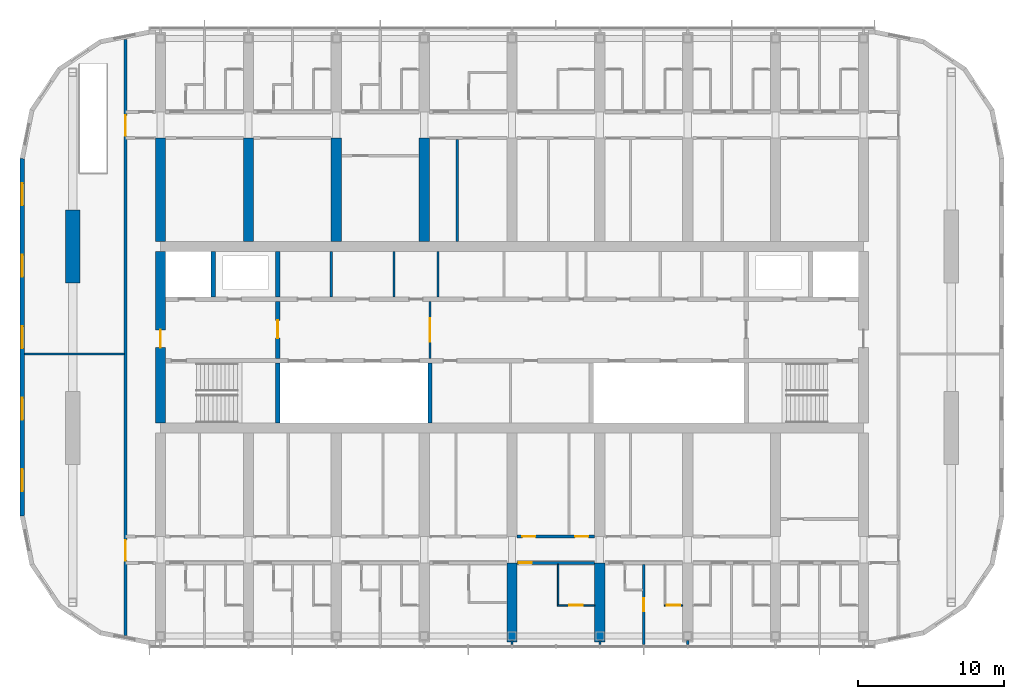
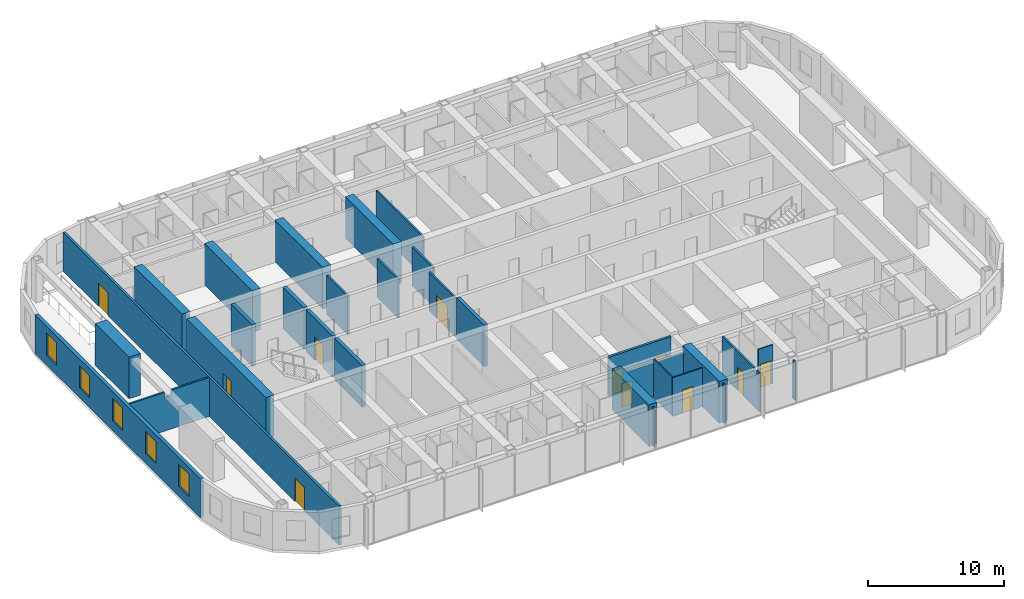
# One storey, part 12 of 24: 30 walls, 11 doors, 5 windows, 16 openings.
"""IFC4 building model written with IfcOpenShell, lengths in metres."""

from ifc_helpers import new_model, si_unit, direction, frame, frame_2d, origin, place, context, subcontext, project, spatial, polyline, rectangle, outline, extrude, material, layer, layer_set, type_object, element, fill, save


model = new_model("IFC4")

# Units and contexts
model_context = context("Model", 3, precision=1e-05, world=origin(), true_north=direction((0.0, 1.0)))
body_context = subcontext(model_context, "Body", "Model", "MODEL_VIEW")
ifc_project = project(units=[si_unit("LENGTHUNIT", "METRE"), si_unit("AREAUNIT", "SQUARE_METRE"), si_unit("VOLUMEUNIT", "CUBIC_METRE"), si_unit("PLANEANGLEUNIT", "RADIAN"), si_unit("MASSUNIT", "GRAM", prefix="KILO")], contexts=[model_context])

# Site, building, storey
site_placement = place(None, origin())
site = spatial("IfcSite", under=ifc_project, at=site_placement, CompositionType="ELEMENT")
building_placement = place(site_placement, origin())
building = spatial("IfcBuilding", under=site, at=building_placement, Name="Orbita Commons", CompositionType="ELEMENT")
storey_placement = place(building_placement, frame((0.0, 0.0, 235.300048828125)))
storey = spatial("IfcBuildingStorey", under=building, at=storey_placement, Name="L58", CompositionType="ELEMENT", Elevation=235.300048828125)

# Wall
ifc_material_1 = material(Name="Concrete C50/60", Category="concrete")
ifc_layer_1 = layer(ifc_material_1, 0.300048828125)
ifc_layer_set_1 = layer_set([ifc_layer_1], Name="Concrete C50/60")
wall_type_1 = type_object("IfcWallType", Name="Core inner wall 300 C50/60", PredefinedType="SHEAR", material=ifc_layer_set_1)
wall_1_placement = place(storey_placement, frame((26.0, 26.14990234375, 0.0), z_axis=(0.0, 0.0, 1.0), x_axis=(0.0, 1.0, 0.0)))
element("IfcWall", 1, at=wall_1_placement, inside=storey, type_object=wall_type_1, Name="Stair S1 wall L58", PredefinedType="SHEAR", context=body_context, shape_type="SweptSolid", body=[
    extrude(rectangle(XDim=4.10009765625, YDim=0.300048828125, at=frame_2d((2.050048828125, 0.0))), origin(), (0.0, 0.0, 1.0), 3.75),
])

# Wall, opening, door
wall_2_placement = place(storey_placement, frame((26.0, 30.550048828125, 0.0), z_axis=(0.0, 0.0, 1.0), x_axis=(0.0, 1.0, 0.0)))
wall_2 = element("IfcWall", 2, at=wall_2_placement, inside=storey, type_object=wall_type_1, Name="Firefighting lobby wall west L58", PredefinedType="SHEAR", context=body_context, shape_type="SweptSolid", body=[
    extrude(rectangle(XDim=3.89990234375, YDim=0.300048828125, at=frame_2d((1.949951171875, 0.0))), origin(), (0.0, 0.0, 1.0), 3.75),
])
opening_1_placement = place(wall_2_placement, frame((1.39990234375, 0.0, 0.0)))
opening_1 = element("IfcOpeningElement", 3, at=opening_1_placement, cuts=wall_2, Name="Opening D04", PredefinedType="OPENING", context=body_context, shape_type="SweptSolid", body=[
    extrude(rectangle(XDim=1.199951171875, YDim=2.10009765625, at=frame_2d((0.60009765625, 1.050048828125))), frame((0.0, 0.159912109375, 0.0), z_axis=(0.0, -1.0, 0.0), x_axis=(1.0, 0.0, 0.0)), (0.0, 0.0, 1.0), 0.320068359375),
])
ifc_material_2 = material(Name="Steel-faced fire door leaf", Category="steel")
door_type_1 = type_object("IfcDoorType", Name="Service door 20 min 1200x2100", OperationType="SINGLE_SWING_LEFT", PredefinedType="DOOR", material=ifc_material_2)
door_1_placement = place(opening_1_placement, origin())
door_1 = element("IfcDoor", 4, at=door_1_placement, inside=storey, type_object=door_type_1, Name="Lift lobby door west", OperationType="SINGLE_SWING_LEFT", OverallHeight=2.10009765625, OverallWidth=1.199951171875, PredefinedType="DOOR", context=body_context, shape_type="SweptSolid", body=[
    extrude(rectangle(XDim=1.199951171875, YDim=2.10009765625, at=frame_2d((0.60009765625, 1.050048828125))), frame((0.0, 0.02490234375, 0.0), z_axis=(0.0, -1.0, 0.0), x_axis=(1.0, 0.0, 0.0)), (0.0, 0.0, 1.0), 0.050048828125),
])
fill(opening_1, door_1)

# Walls
for number, where, z_axis, x_axis, name in (
    (5, (21.60009765625, 34.75, 0.0), (0.0, 0.0, 1.0), (0.0, 1.0, 0.0), "Firefighting lift FL1 shaft wall L58"),
    (6, (26.0, 34.75, 0.0), (0.0, 0.0, 1.0), (0.0, 1.0, 0.0), "Riser wall west L58"),
):
    element("IfcWall", number, at=place(storey_placement, frame(where, z_axis=z_axis, x_axis=x_axis)), inside=storey, type_object=wall_type_1, Name=name, PredefinedType="SHEAR", context=body_context, shape_type="SweptSolid", body=[
        extrude(rectangle(XDim=3.10009765625, YDim=0.300048828125, at=frame_2d((1.550048828125, 0.0))), origin(), (0.0, 0.0, 1.0), 3.75),
    ])
wall_3_placement = place(storey_placement, frame((36.39990234375, 26.14990234375, 0.0), z_axis=(0.0, 0.0, 1.0), x_axis=(0.0, 1.0, 0.0)))
element("IfcWall", 7, at=wall_3_placement, inside=storey, type_object=wall_type_1, Name="Hoistway division wall L58", PredefinedType="SHEAR", context=body_context, shape_type="SweptSolid", body=[
    extrude(rectangle(XDim=4.10009765625, YDim=0.300048828125, at=frame_2d((2.050048828125, 0.0))), origin(), (0.0, 0.0, 1.0), 3.75),
])

# Wall, opening, door
ifc_material_3 = material(Name="Concrete blockwork", Category="masonry")
ifc_layer_2 = layer(ifc_material_3, 0.14990234375)
ifc_layer_set_2 = layer_set([ifc_layer_2], Name="Concrete blockwork")
wall_type_2 = type_object("IfcWallType", Name="Core partition 150 blockwork", PredefinedType="SOLIDWALL", material=ifc_layer_set_2)
wall_4_placement = place(storey_placement, frame((36.39990234375, 30.550048828125, 0.0), z_axis=(0.0, 0.0, 1.0), x_axis=(0.0, 1.0, 0.0)))
wall_4 = element("IfcWall", 8, at=wall_4_placement, inside=storey, type_object=wall_type_2, Name="Core partition 150 blockwork L58", PredefinedType="SOLIDWALL", context=body_context, shape_type="SweptSolid", body=[
    extrude(rectangle(XDim=3.89990234375, YDim=0.14990234375, at=frame_2d((1.949951171875, 0.0))), origin(), (0.0, 0.0, 1.0), 3.5),
])
opening_2_placement = place(wall_4_placement, frame((1.14990234375, 0.0, 0.0)))
opening_2 = element("IfcOpeningElement", 9, at=opening_2_placement, cuts=wall_4, Name="Opening D10", PredefinedType="OPENING", context=body_context, shape_type="SweptSolid", body=[
    extrude(rectangle(XDim=1.60009765625, YDim=2.10009765625, at=frame_2d((0.800048828125, 1.050048828125))), frame((0.0, 0.0849609375, 0.0), z_axis=(0.0, -1.0, 0.0), x_axis=(1.0, 0.0, 0.0)), (0.0, 0.0, 1.0), 0.169921875),
])
ifc_material_4 = material(Name="Steel-faced fire door leaf", Category="steel")
door_type_2 = type_object("IfcDoorType", Name="Double corridor door 20 min 1600x2100", OperationType="DOUBLE_DOOR_SINGLE_SWING", PredefinedType="DOOR", material=ifc_material_4)
door_2_placement = place(opening_2_placement, origin())
door_2 = element("IfcDoor", 10, at=door_2_placement, inside=storey, type_object=door_type_2, Name="Lift lobby screen doors", OperationType="DOUBLE_DOOR_SINGLE_SWING", OverallHeight=2.10009765625, OverallWidth=1.60009765625, PredefinedType="DOOR", context=body_context, shape_type="SweptSolid", body=[
    extrude(rectangle(XDim=1.60009765625, YDim=2.10009765625, at=frame_2d((0.800048828125, 1.050048828125))), frame((0.0, 0.02490234375, 0.0), z_axis=(0.0, -1.0, 0.0), x_axis=(1.0, 0.0, 0.0)), (0.0, 0.0, 1.0), 0.050048828125),
])
fill(opening_2, door_2)

# Walls
for number, where, z_axis, x_axis, name in (
    (11, (29.65087890625, 34.75, 0.0), (0.0, 0.0, 1.0), (0.0, 1.0, 0.0), "Core partition 150 blockwork L58"),
    (12, (33.9462890625, 34.75, 0.0), (0.0, 0.0, 1.0), (0.0, 1.0, 0.0), "Core partition 150 blockwork L58"),
    (13, (36.9462890625, 34.75, 0.0), (0.0, 0.0, 1.0), (0.0, 1.0, 0.0), "Core partition 150 blockwork L58"),
):
    element("IfcWall", number, at=place(storey_placement, frame(where, z_axis=z_axis, x_axis=x_axis)), inside=storey, type_object=wall_type_2, Name=name, PredefinedType="SOLIDWALL", context=body_context, shape_type="SweptSolid", body=[
        extrude(rectangle(XDim=3.10009765625, YDim=0.14990234375, at=frame_2d((1.550048828125, 0.0))), origin(), (0.0, 0.0, 1.0), 3.5),
    ])

# Wall, opening, door
ifc_material_5 = material(Name="Concrete C50/60", Category="concrete")
ifc_layer_3 = layer(ifc_material_5, 0.699951171875)
ifc_layer_set_3 = layer_set([ifc_layer_3], Name="Concrete C50/60")
wall_type_3 = type_object("IfcWallType", Name="Core wall 700 C50/60", PredefinedType="SHEAR", material=ifc_layer_set_3)
wall_5_placement = place(storey_placement, frame((18.0, 26.14990234375, 0.0), z_axis=(0.0, 0.0, 1.0), x_axis=(0.0, 1.0, 0.0)))
wall_5 = element("IfcWall", 14, at=wall_5_placement, inside=storey, type_object=wall_type_3, Name="Core end wall west L58", PredefinedType="SHEAR", context=body_context, shape_type="SweptSolid", body=[
    extrude(rectangle(XDim=11.7001953125, YDim=0.699951171875, at=frame_2d((5.85009765625, 0.0))), origin(), (0.0, 0.0, 1.0), 3.75),
])
opening_3_placement = place(wall_5_placement, frame((5.14990234375, 0.0, 0.0)))
opening_3 = element("IfcOpeningElement", 15, at=opening_3_placement, cuts=wall_5, Name="Opening D01", PredefinedType="OPENING", context=body_context, shape_type="SweptSolid", body=[
    extrude(rectangle(XDim=1.199951171875, YDim=2.10009765625, at=frame_2d((0.60009765625, 1.050048828125))), frame((0.0, 0.35986328125, 0.0), z_axis=(0.0, -1.0, 0.0), x_axis=(1.0, 0.0, 0.0)), (0.0, 0.0, 1.0), 0.719970703125),
])
ifc_material_6 = material(Name="Steel-faced fire door leaf", Category="steel")
door_type_3 = type_object("IfcDoorType", Name="Fire door 90 min 1200x2100", OperationType="SINGLE_SWING_LEFT", PredefinedType="DOOR", material=ifc_material_6)
door_3_placement = place(opening_3_placement, origin())
door_3 = element("IfcDoor", 16, at=door_3_placement, inside=storey, type_object=door_type_3, Name="Firefighting lobby west door", OperationType="SINGLE_SWING_LEFT", OverallHeight=2.10009765625, OverallWidth=1.199951171875, PredefinedType="DOOR", context=body_context, shape_type="SweptSolid", body=[
    extrude(rectangle(XDim=1.199951171875, YDim=2.10009765625, at=frame_2d((0.60009765625, 1.050048828125))), frame((0.0, 0.02490234375, 0.0), z_axis=(0.0, -1.0, 0.0), x_axis=(1.0, 0.0, 0.0)), (0.0, 0.0, 1.0), 0.050048828125),
])
fill(opening_3, door_3)

ifc_material_7 = material(Name="Concrete blockwork", Category="masonry")
ifc_layer_4 = layer(ifc_material_7, 0.199951171875)
ifc_layer_set_4 = layer_set([ifc_layer_4], Name="Concrete blockwork")
wall_type_4 = type_object("IfcWallType", Name="Corridor wall 200 blockwork", PredefinedType="SOLIDWALL", material=ifc_layer_set_4)
wall_6_placement = place(storey_placement, frame((42.35009765625, 16.60009765625, 0.0), z_axis=(0.0, 0.0, 1.0), x_axis=(1.0, 0.0, 0.0)))
wall_6 = element("IfcWall", 17, at=wall_6_placement, inside=storey, type_object=wall_type_4, Name="Corridor wall 200 blockwork L58", PredefinedType="SOLIDWALL", context=body_context, shape_type="SweptSolid", body=[
    extrude(outline(polyline([(0.0, 0.0), (5.2998046875, 0.0), (5.300048828125, 3.099853515625), (0.0, 3.099853515625), (0.0, 0.0)])), frame((0.0, 0.10009765625, 0.0), z_axis=(0.0, -1.0, 0.0), x_axis=(1.0, 0.0, 0.0)), (0.0, 0.0, 1.0), 0.199951171875),
])
opening_4_placement = place(wall_6_placement, frame((0.10009765625, 0.0, 0.0)))
opening_4 = element("IfcOpeningElement", 18, at=opening_4_placement, cuts=wall_6, Name="Opening D11", PredefinedType="OPENING", context=body_context, shape_type="SweptSolid", body=[
    extrude(rectangle(XDim=0.89990234375, YDim=2.10009765625, at=frame_2d((0.449951171875, 1.050048828125))), frame((0.0, 0.10986328125, 0.0), z_axis=(0.0, -1.0, 0.0), x_axis=(1.0, 0.0, 0.0)), (0.0, 0.0, 1.0), 0.219970703125),
])
ifc_material_8 = material(Name="Steel-faced fire door leaf", Category="steel")
door_type_4 = type_object("IfcDoorType", Name="Corridor door 20 min 900x2100", OperationType="SINGLE_SWING_LEFT", PredefinedType="DOOR", material=ifc_material_8)
door_4_placement = place(opening_4_placement, origin())
door_4 = element("IfcDoor", 19, at=door_4_placement, inside=storey, type_object=door_type_4, Name="Studio apartment with kitchenette L58-S08 door", OperationType="SINGLE_SWING_LEFT", OverallHeight=2.10009765625, OverallWidth=0.89990234375, PredefinedType="DOOR", context=body_context, shape_type="SweptSolid", body=[
    extrude(rectangle(XDim=0.89990234375, YDim=2.10009765625, at=frame_2d((0.449951171875, 1.050048828125))), frame((0.0, 0.02490234375, 0.0), z_axis=(0.0, -1.0, 0.0), x_axis=(1.0, 0.0, 0.0)), (0.0, 0.0, 1.0), 0.050048828125),
])
fill(opening_4, door_4)

# Wall, openings, doors
wall_7_placement = place(storey_placement, frame((15.60009765625, 11.646240234375, 0.0), z_axis=(0.0, 0.0, 1.0), x_axis=(0.0, 1.0, 0.0)))
wall_7 = element("IfcWall", 20, at=wall_7_placement, inside=storey, type_object=wall_type_4, Name="Corridor wall 200 blockwork L58", PredefinedType="SOLIDWALL", context=body_context, shape_type="SweptSolid", body=[
    extrude(rectangle(XDim=40.70751953125, YDim=0.199951171875, at=frame_2d((20.353759765625, 0.0))), origin(), (0.0, 0.0, 1.0), 3.5),
])
opening_5_placement = place(wall_7_placement, frame((5.103759765625, 0.0, 0.0)))
opening_5 = element("IfcOpeningElement", 21, at=opening_5_placement, cuts=wall_7, Name="Opening D08", PredefinedType="OPENING", context=body_context, shape_type="SweptSolid", body=[
    extrude(rectangle(XDim=1.39990234375, YDim=2.10009765625, at=frame_2d((0.699951171875, 1.050048828125))), frame((0.0, 0.10986328125, 0.0), z_axis=(0.0, -1.0, 0.0), x_axis=(1.0, 0.0, 0.0)), (0.0, 0.0, 1.0), 0.219970703125),
])
opening_6_placement = place(wall_7_placement, frame((34.103759765625, 0.0, 0.0)))
opening_6 = element("IfcOpeningElement", 22, at=opening_6_placement, cuts=wall_7, Name="Opening D08", PredefinedType="OPENING", context=body_context, shape_type="SweptSolid", body=[
    extrude(rectangle(XDim=1.39990234375, YDim=2.10009765625, at=frame_2d((0.699951171875, 1.050048828125))), frame((0.0, 0.10986328125, 0.0), z_axis=(0.0, -1.0, 0.0), x_axis=(1.0, 0.0, 0.0)), (0.0, 0.0, 1.0), 0.219970703125),
])
ifc_material_9 = material(Name="Steel-faced fire door leaf", Category="steel")
door_type_5 = type_object("IfcDoorType", Name="Double corridor door 20 min 1400x2100", OperationType="DOUBLE_DOOR_SINGLE_SWING", PredefinedType="DOOR", material=ifc_material_9)
door_5_placement = place(opening_5_placement, origin())
door_5 = element("IfcDoor", 23, at=door_5_placement, inside=storey, type_object=door_type_5, Name="Lounge doors", OperationType="DOUBLE_DOOR_SINGLE_SWING", OverallHeight=2.10009765625, OverallWidth=1.39990234375, PredefinedType="DOOR", context=body_context, shape_type="SweptSolid", body=[
    extrude(rectangle(XDim=1.39990234375, YDim=2.10009765625, at=frame_2d((0.699951171875, 1.050048828125))), frame((0.0, 0.02490234375, 0.0), z_axis=(0.0, -1.0, 0.0), x_axis=(1.0, 0.0, 0.0)), (0.0, 0.0, 1.0), 0.050048828125),
])
fill(opening_5, door_5)
door_6_placement = place(opening_6_placement, origin())
door_6 = element("IfcDoor", 24, at=door_6_placement, inside=storey, type_object=door_type_5, Name="Lounge doors", OperationType="DOUBLE_DOOR_SINGLE_SWING", OverallHeight=2.10009765625, OverallWidth=1.39990234375, PredefinedType="DOOR", context=body_context, shape_type="SweptSolid", body=[
    extrude(rectangle(XDim=1.39990234375, YDim=2.10009765625, at=frame_2d((0.699951171875, 1.050048828125))), frame((0.0, 0.02490234375, 0.0), z_axis=(0.0, -1.0, 0.0), x_axis=(1.0, 0.0, 0.0)), (0.0, 0.0, 1.0), 0.050048828125),
])
fill(opening_6, door_6)

ifc_material_10 = material(Name="Hollow concrete block 200", Category="concrete")
ifc_layer_5 = layer(ifc_material_10, 0.199951171875)
ifc_layer_set_5 = layer_set([ifc_layer_5], Name="Hollow concrete block 200")
wall_type_5 = type_object("IfcWallType", Name="Corridor wall 200 hollow concrete block", PredefinedType="SOLIDWALL", material=ifc_layer_set_5)
wall_8_placement = place(storey_placement, frame((42.35009765625, 18.39990234375, 0.0), z_axis=(0.0, 0.0, 1.0), x_axis=(1.0, 0.0, 0.0)))
wall_8 = element("IfcWall", 25, at=wall_8_placement, inside=storey, type_object=wall_type_5, Name="Corridor wall 200 hollow concrete block L58", PredefinedType="SOLIDWALL", context=body_context, shape_type="SweptSolid", body=[
    extrude(rectangle(XDim=5.2998046875, YDim=0.199951171875, at=frame_2d((2.64990234375, 0.0))), origin(), (0.0, 0.0, 1.0), 3.5),
])
opening_7_placement = place(wall_8_placement, frame((0.35009765625, 0.0, 0.0)))
opening_7 = element("IfcOpeningElement", 26, at=opening_7_placement, cuts=wall_8, Name="Opening D11", PredefinedType="OPENING", context=body_context, shape_type="SweptSolid", body=[
    extrude(rectangle(XDim=0.89990234375, YDim=2.10009765625, at=frame_2d((0.449951171875, 1.050048828125))), frame((0.0, 0.10986328125, 0.0), z_axis=(0.0, -1.0, 0.0), x_axis=(1.0, 0.0, 0.0)), (0.0, 0.0, 1.0), 0.219970703125),
])
opening_8_placement = place(wall_8_placement, frame((3.9599609375, 0.0, 0.0)))
opening_8 = element("IfcOpeningElement", 27, at=opening_8_placement, cuts=wall_8, Name="Opening D11", PredefinedType="OPENING", context=body_context, shape_type="SweptSolid", body=[
    extrude(rectangle(XDim=0.89990234375, YDim=2.10009765625, at=frame_2d((0.449951171875, 1.050048828125))), frame((0.0, 0.10986328125, 0.0), z_axis=(0.0, -1.0, 0.0), x_axis=(1.0, 0.0, 0.0)), (0.0, 0.0, 1.0), 0.219970703125),
])
door_7_placement = place(opening_7_placement, origin())
door_7 = element("IfcDoor", 28, at=door_7_placement, inside=storey, type_object=door_type_4, Name="Linen store L58-BDS42 door", OperationType="SINGLE_SWING_LEFT", OverallHeight=2.10009765625, OverallWidth=0.89990234375, PredefinedType="DOOR", context=body_context, shape_type="SweptSolid", body=[
    extrude(rectangle(XDim=0.89990234375, YDim=2.10009765625, at=frame_2d((0.449951171875, 1.050048828125))), frame((0.0, 0.02490234375, 0.0), z_axis=(0.0, -1.0, 0.0), x_axis=(1.0, 0.0, 0.0)), (0.0, 0.0, 1.0), 0.050048828125),
])
fill(opening_7, door_7)
door_8_placement = place(opening_8_placement, origin())
door_8 = element("IfcDoor", 29, at=door_8_placement, inside=storey, type_object=door_type_4, Name="Battery and UPS room L58-BDS42n door", OperationType="SINGLE_SWING_LEFT", OverallHeight=2.10009765625, OverallWidth=0.89990234375, PredefinedType="DOOR", context=body_context, shape_type="SweptSolid", body=[
    extrude(rectangle(XDim=0.89990234375, YDim=2.10009765625, at=frame_2d((0.449951171875, 1.050048828125))), frame((0.0, 0.02490234375, 0.0), z_axis=(0.0, -1.0, 0.0), x_axis=(1.0, 0.0, 0.0)), (0.0, 0.0, 1.0), 0.050048828125),
])
fill(opening_8, door_8)

# Walls
ifc_material_11 = material(Name="Concrete C50/60", Category="concrete")
ifc_layer_6 = layer(ifc_material_11, 0.699951171875)
ifc_layer_set_6 = layer_set([ifc_layer_6], Name="Concrete C50/60")
wall_type_6 = type_object("IfcWallType", Name="Cross wall 700 C50/60", PredefinedType="SHEAR", material=ifc_layer_set_6)
for number, where, z_axis, x_axis, name in (
    (30, (18.0, 38.550048828125, 0.0), (0.0, 0.0, 1.0), (0.0, 1.0, 0.0), "Cross wall 4 north inner L58"),
    (31, (24.0, 38.550048828125, 0.0), (0.0, 0.0, 1.0), (0.0, 1.0, 0.0), "Cross wall 5 north inner L58"),
    (32, (30.0, 38.550048828125, 0.0), (0.0, 0.0, 1.0), (0.0, 1.0, 0.0), "Cross wall 6 north inner L58"),
    (33, (36.0, 38.550048828125, 0.0), (0.0, 0.0, 1.0), (0.0, 1.0, 0.0), "Cross wall 7 north inner L58"),
):
    element("IfcWall", number, at=place(storey_placement, frame(where, z_axis=z_axis, x_axis=x_axis)), inside=storey, type_object=wall_type_6, Name=name, PredefinedType="SHEAR", context=body_context, shape_type="SweptSolid", body=[
        extrude(rectangle(XDim=7.050048828125, YDim=0.699951171875, at=frame_2d((3.52490234375, 0.0))), origin(), (0.0, 0.0, 1.0), 3.75),
    ])
for number, where, z_axis, x_axis, name in (
    (34, (42.0, 11.199951171875, 0.0), (0.0, 0.0, 1.0), (0.0, 1.0, 0.0), "Cross wall 8 south outer L58"),
    (35, (48.0, 11.199951171875, 0.0), (0.0, 0.0, 1.0), (0.0, 1.0, 0.0), "Cross wall 9 south outer L58"),
):
    element("IfcWall", number, at=place(storey_placement, frame(where, z_axis=z_axis, x_axis=x_axis)), inside=storey, type_object=wall_type_6, Name=name, PredefinedType="SHEAR", context=body_context, shape_type="SweptSolid", body=[
        extrude(rectangle(XDim=5.400146484375, YDim=0.699951171875, at=frame_2d((2.7001953125, 0.0))), origin(), (0.0, 0.0, 1.0), 3.75),
    ])

# Wall, opening, door
ifc_material_12 = material(Name="Moisture-resistant plasterboard on steel studs", Category="steel")
ifc_layer_7 = layer(ifc_material_12, 0.10009765625)
ifc_layer_set_7 = layer_set([ifc_layer_7], Name="Moisture-resistant plasterboard on steel studs")
wall_type_7 = type_object("IfcWallType", Name="En-suite partition 100", PredefinedType="PARTITIONING", material=ifc_layer_set_7)
wall_9_placement = place(storey_placement, frame((47.64990234375, 13.699951171875, 0.0), z_axis=(0.0, 0.0, 1.0), x_axis=(-1.0, 0.0, 0.0)))
wall_9 = element("IfcWall", 36, at=wall_9_placement, inside=storey, type_object=wall_type_7, Name="En-suite partition 100 L58", PredefinedType="PARTITIONING", context=body_context, shape_type="SweptSolid", body=[
    extrude(rectangle(XDim=2.5498046875, YDim=0.10009765625, at=frame_2d((1.27490234375, 0.0))), origin(), (0.0, 0.0, 1.0), 3.5),
])
opening_9_placement = place(wall_9_placement, frame((0.824951171875, 0.0, 0.0)))
opening_9 = element("IfcOpeningElement", 37, at=opening_9_placement, cuts=wall_9, Name="Opening D09", PredefinedType="OPENING", context=body_context, shape_type="SweptSolid", body=[
    extrude(rectangle(XDim=0.89990234375, YDim=2.10009765625, at=frame_2d((0.449951171875, 1.050048828125))), frame((0.0, 0.06005859375, 0.0), z_axis=(0.0, -1.0, 0.0), x_axis=(1.0, 0.0, 0.0)), (0.0, 0.0, 1.0), 0.1201171875),
])
ifc_material_13 = material(Name="Laminated timber door leaf", Category="wood")
door_type_6 = type_object("IfcDoorType", Name="En-suite door 900x2100", OperationType="SINGLE_SWING_RIGHT", PredefinedType="DOOR", material=ifc_material_13)
door_9_placement = place(opening_9_placement, origin())
door_9 = element("IfcDoor", 38, at=door_9_placement, inside=storey, type_object=door_type_6, Name="En-suite L58-S08 door", OperationType="SINGLE_SWING_RIGHT", OverallHeight=2.10009765625, OverallWidth=0.89990234375, PredefinedType="DOOR", context=body_context, shape_type="SweptSolid", body=[
    extrude(rectangle(XDim=0.89990234375, YDim=2.10009765625, at=frame_2d((0.449951171875, 1.050048828125))), frame((0.0, 0.02490234375, 0.0), z_axis=(0.0, -1.0, 0.0), x_axis=(1.0, 0.0, 0.0)), (0.0, 0.0, 1.0), 0.050048828125),
])
fill(opening_9, door_9)

# Wall
wall_10_placement = place(storey_placement, frame((45.14990234375, 13.75, 0.0), z_axis=(0.0, 0.0, 1.0), x_axis=(0.0, 1.0, 0.0)))
element("IfcWall", 39, at=wall_10_placement, inside=storey, type_object=wall_type_7, Name="En-suite partition 100 L58", PredefinedType="PARTITIONING", context=body_context, shape_type="SweptSolid", body=[
    extrude(outline(polyline([(0.0, 0.0), (2.75, 0.0), (2.75, 3.099853515625), (2.701904296875, 3.099853515625), (2.699951171875, 3.5), (0.0, 3.5), (0.0, 0.0)])), frame((0.0, 0.050048828125, 0.0), z_axis=(0.0, -1.0, 0.0), x_axis=(1.0, 0.0, 0.0)), (0.0, 0.0, 1.0), 0.10009765625),
])

# Wall, opening, door
wall_11_placement = place(storey_placement, frame((53.64990234375, 13.699951171875, 0.0), z_axis=(0.0, 0.0, 1.0), x_axis=(-1.0, 0.0, 0.0)))
wall_11 = element("IfcWall", 40, at=wall_11_placement, inside=storey, type_object=wall_type_7, Name="En-suite partition 100 L58", PredefinedType="PARTITIONING", context=body_context, shape_type="SweptSolid", body=[
    extrude(rectangle(XDim=1.25, YDim=0.10009765625, at=frame_2d((0.625, 0.0))), origin(), (0.0, 0.0, 1.0), 3.5),
])
opening_10_placement = place(wall_11_placement, frame((0.175048828125, 0.0, 0.0)))
opening_10 = element("IfcOpeningElement", 41, at=opening_10_placement, cuts=wall_11, Name="Opening D09", PredefinedType="OPENING", context=body_context, shape_type="SweptSolid", body=[
    extrude(rectangle(XDim=0.89990234375, YDim=2.10009765625, at=frame_2d((0.449951171875, 1.050048828125))), frame((0.0, 0.06005859375, 0.0), z_axis=(0.0, -1.0, 0.0), x_axis=(1.0, 0.0, 0.0)), (0.0, 0.0, 1.0), 0.1201171875),
])
door_10_placement = place(opening_10_placement, origin())
door_10 = element("IfcDoor", 42, at=door_10_placement, inside=storey, type_object=door_type_6, Name="En-suite L58-S11 door", OperationType="SINGLE_SWING_RIGHT", OverallHeight=2.10009765625, OverallWidth=0.89990234375, PredefinedType="DOOR", context=body_context, shape_type="SweptSolid", body=[
    extrude(rectangle(XDim=0.89990234375, YDim=2.10009765625, at=frame_2d((0.449951171875, 1.050048828125))), frame((0.0, 0.02490234375, 0.0), z_axis=(0.0, -1.0, 0.0), x_axis=(1.0, 0.0, 0.0)), (0.0, 0.0, 1.0), 0.050048828125),
])
fill(opening_10, door_10)

# Wall
ifc_material_14 = material(Name="Concrete C50/60", Category="concrete")
ifc_layer_8 = layer(ifc_material_14, 1.0)
ifc_layer_set_8 = layer_set([ifc_layer_8], Name="Concrete C50/60")
wall_type_8 = type_object("IfcWallType", Name="End pier 1000x5000 C50/60", PredefinedType="SHEAR", material=ifc_layer_set_8)
wall_12_placement = place(storey_placement, frame((12.0, 35.699951171875, 0.0), z_axis=(0.0, 0.0, 1.0), x_axis=(0.0, 1.0, 0.0)))
element("IfcWall", 43, at=wall_12_placement, inside=storey, type_object=wall_type_8, Name="End pier 3/D L58", PredefinedType="SHEAR", context=body_context, shape_type="SweptSolid", body=[
    extrude(rectangle(XDim=5.0, YDim=1.0, at=frame_2d((2.5, 0.0))), origin(), (0.0, 0.0, 1.0), 3.75),
])

# Wall, opening, door
ifc_material_15 = material(Name="Gypsum plasterboard on steel studs", Category="steel")
ifc_layer_9 = layer(ifc_material_15, 0.14990234375)
ifc_layer_set_9 = layer_set([ifc_layer_9], Name="Gypsum plasterboard on steel studs")
wall_type_9 = type_object("IfcWallType", Name="Partition 150 plasterboard", PredefinedType="PARTITIONING", material=ifc_layer_set_9)
wall_13_placement = place(storey_placement, frame((51.0, 11.010009765625, 0.0), z_axis=(0.0, 0.0, 1.0), x_axis=(0.0, 1.0, 0.0)))
wall_13 = element("IfcWall", 44, at=wall_13_placement, inside=storey, type_object=wall_type_9, Name="Partition 150 plasterboard L58", PredefinedType="PARTITIONING", context=body_context, shape_type="SweptSolid", body=[
    extrude(outline(polyline([(0.0, 0.0), (5.489990234375, 0.0), (5.489990234375, 3.099853515625), (5.44189453125, 3.099853515625), (5.43994140625, 3.5), (0.7919921875, 3.5), (0.7900390625, 3.099853515625), (0.39208984375, 3.099853515625), (0.389892578125, 3.5), (0.0, 3.5), (0.0, 0.0)])), frame((0.0, 0.074951171875, 0.0), z_axis=(0.0, -1.0, 0.0), x_axis=(1.0, 0.0, 0.0)), (0.0, 0.0, 1.0), 0.14990234375),
])
opening_11_placement = place(wall_13_placement, frame((2.27001953125, 0.0, 0.0)))
opening_11 = element("IfcOpeningElement", 45, at=opening_11_placement, cuts=wall_13, Name="Opening D09", PredefinedType="OPENING", context=body_context, shape_type="SweptSolid", body=[
    extrude(rectangle(XDim=0.89990234375, YDim=2.10009765625, at=frame_2d((0.449951171875, 1.050048828125))), frame((0.0, 0.0849609375, 0.0), z_axis=(0.0, -1.0, 0.0), x_axis=(1.0, 0.0, 0.0)), (0.0, 0.0, 1.0), 0.169921875),
])
door_11_placement = place(opening_11_placement, origin())
door_11 = element("IfcDoor", 46, at=door_11_placement, inside=storey, type_object=door_type_6, Name="Guest suite bedroom L58-S10 door", OperationType="SINGLE_SWING_RIGHT", OverallHeight=2.10009765625, OverallWidth=0.89990234375, PredefinedType="DOOR", context=body_context, shape_type="SweptSolid", body=[
    extrude(rectangle(XDim=0.89990234375, YDim=2.10009765625, at=frame_2d((0.449951171875, 1.050048828125))), frame((0.0, 0.02490234375, 0.0), z_axis=(0.0, -1.0, 0.0), x_axis=(1.0, 0.0, 0.0)), (0.0, 0.0, 1.0), 0.050048828125),
])
fill(opening_11, door_11)

# Walls
wall_14_placement = place(storey_placement, frame((38.264892578125, 38.550048828125, 0.0), z_axis=(0.0, 0.0, 1.0), x_axis=(0.0, 1.0, 0.0)))
element("IfcWall", 47, at=wall_14_placement, inside=storey, type_object=wall_type_9, Name="Partition 150 plasterboard L58", PredefinedType="PARTITIONING", context=body_context, shape_type="SweptSolid", body=[
    extrude(rectangle(XDim=6.949951171875, YDim=0.14990234375, at=frame_2d((3.47509765625, 0.0))), origin(), (0.0, 0.0, 1.0), 3.5),
])
wall_15_placement = place(storey_placement, frame((8.705078125, 30.85009765625, 0.0), z_axis=(0.0, 0.0, 1.0), x_axis=(1.0, 0.0, 0.0)))
element("IfcWall", 48, at=wall_15_placement, inside=storey, type_object=wall_type_9, Name="Partition 150 plasterboard L58", PredefinedType="PARTITIONING", context=body_context, shape_type="SweptSolid", body=[
    extrude(outline(polyline([(0.0, 0.0), (6.81982421875, 0.0), (6.820068359375, 3.5), (3.596923828125, 3.5), (3.594970703125, 3.050048828125), (2.9970703125, 3.050048828125), (2.9951171875, 3.5), (0.0, 3.5), (0.0, 0.0)])), frame((0.0, 0.074951171875, 0.0), z_axis=(0.0, -1.0, 0.0), x_axis=(1.0, 0.0, 0.0)), (0.0, 0.0, 1.0), 0.14990234375),
])
for number, where, z_axis, x_axis, name in (
    (49, (42.0, 11.300048828125, 0.0), (0.0, 0.0, 1.0), (0.0, -1.0, 0.0), "Partition 150 plasterboard L58"),
    (50, (48.0, 11.300048828125, 0.0), (0.0, 0.0, 1.0), (0.0, -1.0, 0.0), "Partition 150 plasterboard L58"),
    (51, (54.0, 11.300048828125, 0.0), (0.0, 0.0, 1.0), (0.0, -1.0, 0.0), "Partition 150 plasterboard L58"),
):
    element("IfcWall", number, at=place(storey_placement, frame(where, z_axis=z_axis, x_axis=x_axis)), inside=storey, type_object=wall_type_9, Name=name, PredefinedType="PARTITIONING", context=body_context, shape_type="SweptSolid", body=[
        extrude(rectangle(XDim=0.2900390625, YDim=0.14990234375, at=frame_2d((0.14501953125, 0.0))), origin(), (0.0, 0.0, 1.0), 3.5),
    ])

# Wall, openings, windows
ifc_material_16 = material(Name="Precast concrete C40/50, white board-marked finish", Category="concrete")
ifc_layer_10 = layer(ifc_material_16, 0.300048828125)
ifc_layer_set_10 = layer_set([ifc_layer_10], Name="Precast concrete C40/50, white board-marked finish")
wall_type_10 = type_object("IfcWallType", Name="Precast concrete end shield 300", PredefinedType="SOLIDWALL", material=ifc_layer_set_10)
wall_16_placement = place(storey_placement, frame((8.550048828125, 44.199951171875, 0.0), z_axis=(0.0, 0.0, 1.0), x_axis=(0.0, -1.0, 0.0)))
wall_16 = element("IfcWall", 52, at=wall_16_placement, inside=storey, type_object=wall_type_10, Name="End shield W L58", PredefinedType="SOLIDWALL", context=body_context, shape_type="SweptSolid", body=[
    extrude(outline(polyline([(-0.014892578125, -0.14990234375), (24.414794921875, -0.14990234375), (24.385009765625, 0.14990234375), (0.014892578125, 0.14990234375), (-0.014892578125, -0.14990234375)])), origin(), (0.0, 0.0, 1.0), 3.5),
])
opening_12_placement = place(wall_16_placement, frame((1.68994140625, 0.0, 0.89990234375)))
opening_12 = element("IfcOpeningElement", 53, at=opening_12_placement, cuts=wall_16, Name="Opening W01", PredefinedType="OPENING", context=body_context, shape_type="SweptSolid", body=[
    extrude(rectangle(XDim=1.5, YDim=2.0, at=frame_2d((0.75, 1.0))), frame((0.0, 0.159912109375, 0.0), z_axis=(0.0, -1.0, 0.0), x_axis=(1.0, 0.0, 0.0)), (0.0, 0.0, 1.0), 0.320068359375),
])
opening_13_placement = place(wall_16_placement, frame((6.570068359375, 0.0, 0.89990234375)))
opening_13 = element("IfcOpeningElement", 54, at=opening_13_placement, cuts=wall_16, Name="Opening W01", PredefinedType="OPENING", context=body_context, shape_type="SweptSolid", body=[
    extrude(rectangle(XDim=1.5, YDim=2.0, at=frame_2d((0.75, 1.0))), frame((0.0, 0.159912109375, 0.0), z_axis=(0.0, -1.0, 0.0), x_axis=(1.0, 0.0, 0.0)), (0.0, 0.0, 1.0), 0.320068359375),
])
opening_14_placement = place(wall_16_placement, frame((11.449951171875, 0.0, 0.89990234375)))
opening_14 = element("IfcOpeningElement", 55, at=opening_14_placement, cuts=wall_16, Name="Opening W01", PredefinedType="OPENING", context=body_context, shape_type="SweptSolid", body=[
    extrude(rectangle(XDim=1.5, YDim=2.0, at=frame_2d((0.75, 1.0))), frame((0.0, 0.159912109375, 0.0), z_axis=(0.0, -1.0, 0.0), x_axis=(1.0, 0.0, 0.0)), (0.0, 0.0, 1.0), 0.320068359375),
])
opening_15_placement = place(wall_16_placement, frame((16.330078125, 0.0, 0.89990234375)))
opening_15 = element("IfcOpeningElement", 56, at=opening_15_placement, cuts=wall_16, Name="Opening W01", PredefinedType="OPENING", context=body_context, shape_type="SweptSolid", body=[
    extrude(rectangle(XDim=1.5, YDim=2.0, at=frame_2d((0.75, 1.0))), frame((0.0, 0.159912109375, 0.0), z_axis=(0.0, -1.0, 0.0), x_axis=(1.0, 0.0, 0.0)), (0.0, 0.0, 1.0), 0.320068359375),
])
opening_16_placement = place(wall_16_placement, frame((21.2099609375, 0.0, 0.89990234375)))
opening_16 = element("IfcOpeningElement", 57, at=opening_16_placement, cuts=wall_16, Name="Opening W01", PredefinedType="OPENING", context=body_context, shape_type="SweptSolid", body=[
    extrude(rectangle(XDim=1.5, YDim=2.0, at=frame_2d((0.75, 1.0))), frame((0.0, 0.159912109375, 0.0), z_axis=(0.0, -1.0, 0.0), x_axis=(1.0, 0.0, 0.0)), (0.0, 0.0, 1.0), 0.320068359375),
])
ifc_material_17 = material(Name="Aluminium frame, clear double glazing", Category="aluminium")
window_type = type_object("IfcWindowType", Name="Deep-set window 1500x2000", PartitioningType="SINGLE_PANEL", PredefinedType="WINDOW", material=ifc_material_17)
window_1_placement = place(opening_12_placement, origin())
window_1 = element("IfcWindow", 58, at=window_1_placement, inside=storey, type_object=window_type, Name="Window L58-W 1", OverallHeight=2.0, OverallWidth=1.5, PartitioningType="SINGLE_PANEL", PredefinedType="WINDOW", context=body_context, shape_type="SweptSolid", body=[
    extrude(rectangle(XDim=1.5, YDim=2.0, at=frame_2d((0.75, 1.0))), frame((0.0, 0.030029296875, 0.0), z_axis=(0.0, -1.0, 0.0), x_axis=(1.0, 0.0, 0.0)), (0.0, 0.0, 1.0), 0.06005859375),
])
fill(opening_12, window_1)
window_2_placement = place(opening_13_placement, origin())
window_2 = element("IfcWindow", 59, at=window_2_placement, inside=storey, type_object=window_type, Name="Window L58-W 2", OverallHeight=2.0, OverallWidth=1.5, PartitioningType="SINGLE_PANEL", PredefinedType="WINDOW", context=body_context, shape_type="SweptSolid", body=[
    extrude(rectangle(XDim=1.5, YDim=2.0, at=frame_2d((0.75, 1.0))), frame((0.0, 0.030029296875, 0.0), z_axis=(0.0, -1.0, 0.0), x_axis=(1.0, 0.0, 0.0)), (0.0, 0.0, 1.0), 0.06005859375),
])
fill(opening_13, window_2)
window_3_placement = place(opening_14_placement, origin())
window_3 = element("IfcWindow", 60, at=window_3_placement, inside=storey, type_object=window_type, Name="Window L58-W 3", OverallHeight=2.0, OverallWidth=1.5, PartitioningType="SINGLE_PANEL", PredefinedType="WINDOW", context=body_context, shape_type="SweptSolid", body=[
    extrude(rectangle(XDim=1.5, YDim=2.0, at=frame_2d((0.75, 1.0))), frame((0.0, 0.030029296875, 0.0), z_axis=(0.0, -1.0, 0.0), x_axis=(1.0, 0.0, 0.0)), (0.0, 0.0, 1.0), 0.06005859375),
])
fill(opening_14, window_3)
window_4_placement = place(opening_15_placement, origin())
window_4 = element("IfcWindow", 61, at=window_4_placement, inside=storey, type_object=window_type, Name="Window L58-W 4", OverallHeight=2.0, OverallWidth=1.5, PartitioningType="SINGLE_PANEL", PredefinedType="WINDOW", context=body_context, shape_type="SweptSolid", body=[
    extrude(rectangle(XDim=1.5, YDim=2.0, at=frame_2d((0.75, 1.0))), frame((0.0, 0.030029296875, 0.0), z_axis=(0.0, -1.0, 0.0), x_axis=(1.0, 0.0, 0.0)), (0.0, 0.0, 1.0), 0.06005859375),
])
fill(opening_15, window_4)
window_5_placement = place(opening_16_placement, origin())
window_5 = element("IfcWindow", 62, at=window_5_placement, inside=storey, type_object=window_type, Name="Window L58-W 5", OverallHeight=2.0, OverallWidth=1.5, PartitioningType="SINGLE_PANEL", PredefinedType="WINDOW", context=body_context, shape_type="SweptSolid", body=[
    extrude(rectangle(XDim=1.5, YDim=2.0, at=frame_2d((0.75, 1.0))), frame((0.0, 0.030029296875, 0.0), z_axis=(0.0, -1.0, 0.0), x_axis=(1.0, 0.0, 0.0)), (0.0, 0.0, 1.0), 0.06005859375),
])
fill(opening_16, window_5)

save(model, "model.ifc")
